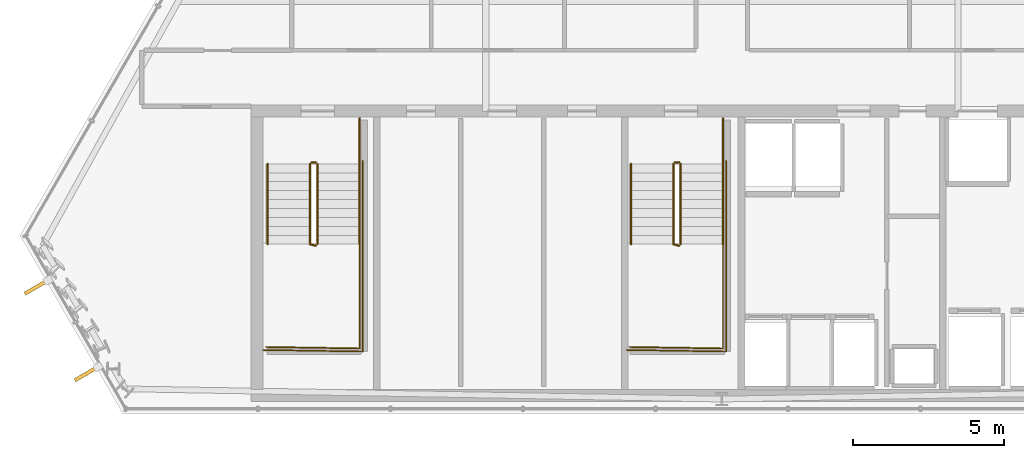
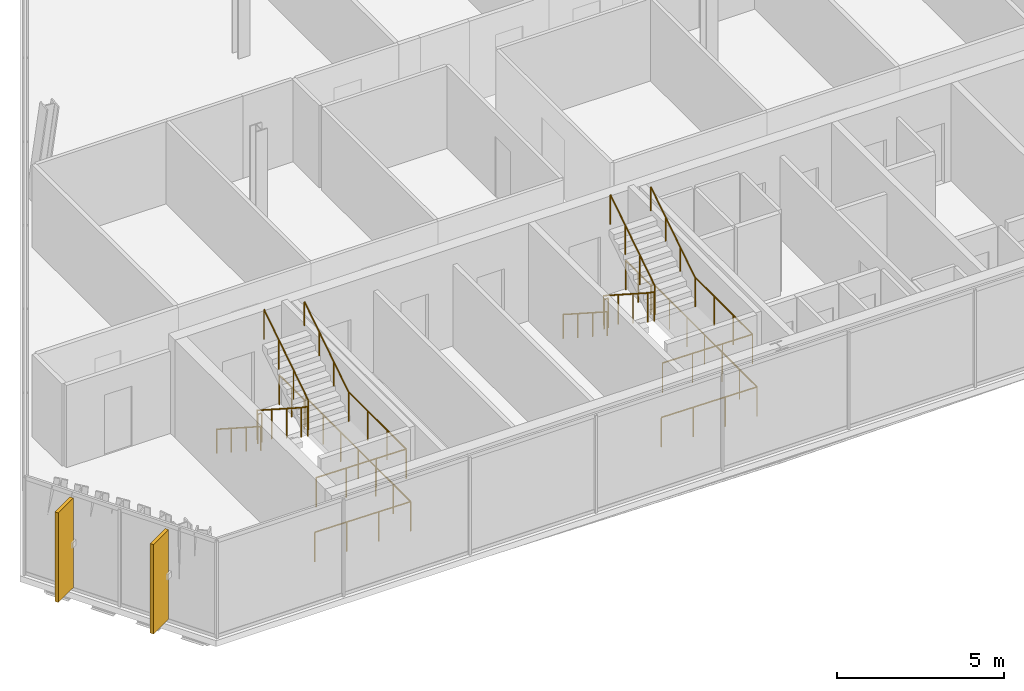
# One storey, part 27 of 29: 16 railings, 2 shading devices.
"""IFC4 building model written with IfcOpenShell, lengths in metres."""

import ifcopenshell
import ifcopenshell.guid

model = None  # the IFC model being written
_history = None  # IfcOwnerHistory: only IFC2X3 demands one
_inside = {}  # id of a spatial element -> (the spatial element, [elements in it])
_under = {}  # id of a project, library or spatial element -> (it, [spatial elements below it])
_declared = {}  # id of a project -> (the project, [libraries it declares])
_typed = {}  # id of a type object -> (the type object, [elements of that type])
_made_of = {}  # id of a material, layer set ... -> (it, [elements and type objects made of it])


def new_model(schema):
    """Start an empty IFC model of exactly this schema.

    Asked for "IFC4X3", IfcOpenShell would pick the latest addendum, in which some entities
    have other attributes; the version numbers below select the first issue.
    IFC2X3 requires an IfcOwnerHistory on every rooted entity: one is made here for all.
    """
    global model, _history
    if schema == "IFC4X3":
        model = ifcopenshell.file(schema_version=(4, 3, 0, 0))
    else:
        model = ifcopenshell.file(schema=schema)
    _inside.clear()
    _under.clear()
    _declared.clear()
    _typed.clear()
    _made_of.clear()
    _history = None
    if model.schema == "IFC2X3":
        org = make("IfcOrganization", Name="unknown")
        user = make(
            "IfcPersonAndOrganization",
            ThePerson=make("IfcPerson", FamilyName="unknown"),
            TheOrganization=org,
        )
        app = make(
            "IfcApplication",
            ApplicationDeveloper=org,
            Version="unknown",
            ApplicationFullName="unknown",
            ApplicationIdentifier="unknown",
        )
        _history = make(
            "IfcOwnerHistory",
            OwningUser=user,
            OwningApplication=app,
            ChangeAction="ADDED",
            CreationDate=0,
        )
    return model


def make(cls, **values):
    """One entity of the class cls with the attributes given. An attribute that is None is left unset."""
    return model.create_entity(
        cls, **{name: value for name, value in values.items() if value is not None}
    )


def rooted(cls, **values):
    """An entity with a GlobalId (a new one), such as an element, a storey or a relation."""
    return make(cls, GlobalId=ifcopenshell.guid.new(), OwnerHistory=_history, **values)


def si_unit(unit_type, name, prefix=None):
    """IfcSIUnit, for example si_unit("LENGTHUNIT", "METRE", prefix="MILLI")."""
    return make("IfcSIUnit", UnitType=unit_type, Prefix=prefix, Name=name)


def assignment(units):
    """IfcUnitAssignment: the units of a project."""
    return None if units is None else make("IfcUnitAssignment", Units=units)


def point(xyz):
    """IfcCartesianPoint."""
    return None if xyz is None else make("IfcCartesianPoint", Coordinates=xyz)


def direction(xyz):
    """IfcDirection."""
    return None if xyz is None else make("IfcDirection", DirectionRatios=xyz)


def frame(location, z_axis=None, x_axis=None):
    """IfcAxis2Placement3D, a coordinate frame: its origin and axes. An axis left out is left unset."""
    return make(
        "IfcAxis2Placement3D",
        Location=point(location),
        Axis=direction(z_axis),
        RefDirection=direction(x_axis),
    )


def frame_2d(location, x_axis=None):
    """IfcAxis2Placement2D, a coordinate frame in the plane: its origin and x axis."""
    return make(
        "IfcAxis2Placement2D", Location=point(location), RefDirection=direction(x_axis)
    )


def origin():
    """The frame at (0, 0, 0) with its axes left unset."""
    return frame((0.0, 0.0, 0.0))


def origin_2d():
    """The frame at (0, 0) in the plane with its x axis left unset."""
    return frame_2d((0.0, 0.0))


def place(relative_to, where):
    """IfcLocalPlacement: puts the frame where relative to a parent placement (None: the world)."""
    return make(
        "IfcLocalPlacement", PlacementRelTo=relative_to, RelativePlacement=where
    )


def context(
    kind, dimensions, precision=None, world=None, true_north=None, identifier=None
):
    """IfcGeometricRepresentationContext, for example the 3D "Model" context."""
    return make(
        "IfcGeometricRepresentationContext",
        ContextIdentifier=identifier,
        ContextType=kind,
        CoordinateSpaceDimension=dimensions,
        Precision=precision,
        WorldCoordinateSystem=world,
        TrueNorth=true_north,
    )


def subcontext(parent, identifier, kind, view, scale=None):
    """IfcGeometricRepresentationSubContext, for example "Body" below "Model"."""
    return make(
        "IfcGeometricRepresentationSubContext",
        ContextIdentifier=identifier,
        ContextType=kind,
        ParentContext=parent,
        TargetScale=scale,
        TargetView=view,
    )


def project(units=None, contexts=None):
    """IfcProject with its units and contexts."""
    return rooted(
        "IfcProject",
        Name="project",
        RepresentationContexts=contexts,
        UnitsInContext=assignment(units),
    )


def spatial(cls, under=None, at=None, **own):
    """A site, building, storey or space (cls), placed at a placement, below another one or the project."""
    s = rooted(cls, ObjectPlacement=at, **own)
    if under is not None:
        _under.setdefault(under.id(), (under, []))[1].append(s)
    return s


def profile(cls, at=None, kind="AREA", **sizes):
    """A parametric profile (cls). Its sizes go by their IFC names, for example OverallWidth=200.0."""
    return make(cls, ProfileType=kind, Position=at, **sizes)


def rectangle(**sizes):
    """IfcRectangleProfileDef."""
    return profile("IfcRectangleProfileDef", **sizes)


def circle(**sizes):
    """IfcCircleProfileDef."""
    return profile("IfcCircleProfileDef", **sizes)


def extrude(swept, where, along, depth):
    """IfcExtrudedAreaSolid: the profile swept, set in the frame where, extruded along a direction by depth."""
    return make(
        "IfcExtrudedAreaSolid",
        SweptArea=swept,
        Position=where,
        ExtrudedDirection=direction(along),
        Depth=depth,
    )


def shape(context_of_items, identifier, shape_type, items):
    """IfcShapeRepresentation: the items that make up one representation, for example the "Body"."""
    return make(
        "IfcShapeRepresentation",
        ContextOfItems=context_of_items,
        RepresentationIdentifier=identifier,
        RepresentationType=shape_type,
        Items=items,
    )


def material(Name=None, Category=None):
    """IfcMaterial."""
    return make("IfcMaterial", Name=Name, Category=Category)


def layer(
    of_material, thickness, ventilated=None, Name=None, Category=None, Priority=None
):
    """IfcMaterialLayer: one layer of a wall or slab, of a material (None: an air gap)."""
    return make(
        "IfcMaterialLayer",
        Material=of_material,
        LayerThickness=thickness,
        IsVentilated=ventilated,
        Name=Name,
        Category=Category,
        Priority=Priority,
    )


def layer_set(layers, Name=None):
    """IfcMaterialLayerSet."""
    return make("IfcMaterialLayerSet", MaterialLayers=layers, LayerSetName=Name)


def made_of(thing, what):
    """Note that an element or type object is made of a material, layer set ...; save() writes the relation."""
    if what is not None:
        _made_of.setdefault(what.id(), (what, []))[1].append(thing)
    return thing


def type_object(cls, material=None, **own):
    """A type object (cls), such as IfcWallType, which elements share."""
    return made_of(rooted(cls, **own), material)


def element(
    cls,
    number,
    at=None,
    inside=None,
    cuts=None,
    type_object=None,
    material=None,
    context=None,
    identifier="Body",
    shape_type=None,
    held_by="IfcProductDefinitionShape",
    body=None,
    shapes=None,
    **own,
):
    """One element of the class cls, such as IfcWall. Its Tag is "e" and its number.

    at: its placement. inside: the storey or other place that contains it. cuts: it is an
    opening in that element (IfcRelVoidsElement). A single representation is given by context,
    identifier, shape_type and body (its items); several are given by shapes. held_by: the class
    of the entity that holds the representations. save() writes the other relations.
    """
    e = rooted(cls, Tag="e%d" % number, ObjectPlacement=at, **own)
    if body is not None:
        shapes = [shape(context, identifier, shape_type, body)]
    if shapes is not None:
        e.Representation = make(held_by, Representations=shapes)
    if inside is not None:
        _inside.setdefault(inside.id(), (inside, []))[1].append(e)
    if cuts is not None:
        rooted(
            "IfcRelVoidsElement", RelatingBuildingElement=cuts, RelatedOpeningElement=e
        )
    if type_object is not None:
        _typed.setdefault(type_object.id(), (type_object, []))[1].append(e)
    return made_of(e, material)


def aggregate(whole, parts):
    """IfcRelAggregates: a whole, such as a stair, and the parts it consists of."""
    return rooted("IfcRelAggregates", RelatingObject=whole, RelatedObjects=parts)


def save(model, path):
    """Write the relations noted so far, then the file.

    IfcRelAggregates (storeys below a building ...), IfcRelContainedInSpatialStructure (elements
    in a storey), IfcRelDefinesByType, IfcRelAssociatesMaterial and IfcRelDeclares: one each for
    every whole, place, type object, material and project.
    """
    for whole, parts in _under.values():
        aggregate(whole, parts)
    for where, things in _inside.values():
        rooted(
            "IfcRelContainedInSpatialStructure",
            RelatedElements=things,
            RelatingStructure=where,
        )
    for kind, things in _typed.values():
        rooted("IfcRelDefinesByType", RelatedObjects=things, RelatingType=kind)
    for what, things in _made_of.values():
        rooted("IfcRelAssociatesMaterial", RelatedObjects=things, RelatingMaterial=what)
    for by, libraries in _declared.values():
        rooted("IfcRelDeclares", RelatingContext=by, RelatedDefinitions=libraries)
    model.write(path)


model = new_model("IFC4")

# Units and contexts
model_context = context("Model", 3, precision=1e-05, world=origin(), true_north=direction((0.0, 1.0)))
body_context = subcontext(model_context, "Body", "Model", "MODEL_VIEW")
ifc_project = project(units=[si_unit("LENGTHUNIT", "METRE"), si_unit("AREAUNIT", "SQUARE_METRE"), si_unit("VOLUMEUNIT", "CUBIC_METRE"), si_unit("PLANEANGLEUNIT", "RADIAN"), si_unit("MASSUNIT", "GRAM", prefix="KILO")], contexts=[model_context])

# Site, building, storey
site_placement = place(None, origin())
site = spatial("IfcSite", under=ifc_project, at=site_placement, CompositionType="ELEMENT")
building_placement = place(site_placement, origin())
building = spatial("IfcBuilding", under=site, at=building_placement, Name="Ndaravel Arena Tower", CompositionType="ELEMENT")
storey_placement = place(building_placement, frame((0.0, 0.0, 248.39990234375)))
storey = spatial("IfcBuildingStorey", under=building, at=storey_placement, Name="L60", CompositionType="ELEMENT", Elevation=248.39990234375)

# Railings
ifc_material_1 = material(Name="Steel S355", Category="steel")
ifc_layer_1 = layer(ifc_material_1, 0.06005859375)
ifc_layer_set_1 = layer_set([ifc_layer_1], Name="Steel S355")
railing_type_1 = type_object("IfcRailingType", Name="RAIL-STAIR-GD1100", PredefinedType="GUARDRAIL", material=ifc_layer_set_1)
railing_1_placement = place(storey_placement, frame((28.39990234375, 13.25, 0.190185546875)))
element("IfcRailing", 1, at=railing_1_placement, inside=storey, type_object=railing_type_1, Name="L60 ST-1 stair guard 1", PredefinedType="GUARDRAIL", context=body_context, shape_type="SweptSolid", body=[
    extrude(circle(Radius=0.02392578125, at=origin_2d()), frame((0.0, 0.0, 1.076171875), z_axis=(0.0, -0.840723540582, 0.54146461409), x_axis=(1.0, 0.0, 0.0)), (0.0, 0.0, 1.0), 3.157958984375),
    extrude(circle(Radius=0.02392578125, at=origin_2d()), frame((0.0, -2.655029296875, 2.7861328125), z_axis=(0.967074537263, -0.25449329928, 0.0), x_axis=(0.25449329928, 0.967074537263, 0.0)), (0.0, 0.0, 1.0), 0.19677734375),
    extrude(circle(Radius=0.02099609375, at=origin_2d()), origin(), (0.0, 0.0, 1.0), 1.052001953125),
    extrude(circle(Radius=0.02099609375, at=origin_2d()), frame((0.0, -0.885009765625, 0.570068359375)), (0.0, 0.0, 1.0), 1.052001953125),
    extrude(circle(Radius=0.02099609375, at=origin_2d()), frame((0.0, -1.77001953125, 1.139892578125)), (0.0, 0.0, 1.0), 1.052001953125),
    extrude(circle(Radius=0.02099609375, at=origin_2d()), frame((0.0, -2.655029296875, 1.7099609375)), (0.0, 0.0, 1.0), 1.052001953125),
    extrude(circle(Radius=0.02099609375, at=origin_2d()), frame((0.190185546875, -2.705078125, 1.7099609375)), (0.0, 0.0, 1.0), 1.052001953125),
])
railing_2_placement = place(storey_placement, frame((30.0400390625, 10.594970703125, 1.900146484375)))
element("IfcRailing", 2, at=railing_2_placement, inside=storey, type_object=railing_type_1, Name="L60 ST-1 stair guard 2", PredefinedType="GUARDRAIL", context=body_context, shape_type="SweptSolid", body=[
    extrude(circle(Radius=0.02392578125, at=origin_2d()), frame((0.0, 0.0, 1.076171875), z_axis=(0.0, -1.0, 0.0), x_axis=(1.0, 0.0, 0.0)), (0.0, 0.0, 1.0), 3.445068359375),
    extrude(circle(Radius=0.02392578125, at=origin_2d()), frame((0.0, -3.445068359375, 1.076171875), z_axis=(-0.999868861343, 0.016194447071, 0.0), x_axis=(-0.016194447071, -0.999868861343, 0.0)), (0.0, 0.0, 1.0), 3.090576171875),
    extrude(circle(Radius=0.02099609375, at=origin_2d()), origin(), (0.0, 0.0, 1.0), 1.052001953125),
    extrude(circle(Radius=0.02099609375, at=origin_2d()), frame((0.0, -1.1484375, 0.0)), (0.0, 0.0, 1.0), 1.052001953125),
    extrude(circle(Radius=0.02099609375, at=origin_2d()), frame((0.0, -2.296630859375, 0.0)), (0.0, 0.0, 1.0), 1.052001953125),
    extrude(circle(Radius=0.02099609375, at=origin_2d()), frame((0.0, -3.445068359375, 0.0)), (0.0, 0.0, 1.0), 1.052001953125),
    extrude(circle(Radius=0.02099609375, at=origin_2d()), frame((-1.030029296875, -3.428466796875, 0.0)), (0.0, 0.0, 1.0), 1.052001953125),
    extrude(circle(Radius=0.02099609375, at=origin_2d()), frame((-2.06005859375, -3.41162109375, 0.0)), (0.0, 0.0, 1.0), 1.052001953125),
    extrude(circle(Radius=0.02099609375, at=origin_2d()), frame((-3.090087890625, -3.39501953125, 0.0)), (0.0, 0.0, 1.0), 1.052001953125),
])
railing_3_placement = place(storey_placement, frame((28.639892578125, 10.594970703125, 2.090087890625)))
element("IfcRailing", 3, at=railing_3_placement, inside=storey, type_object=railing_type_1, Name="L60 ST-1 stair guard 3", PredefinedType="GUARDRAIL", context=body_context, shape_type="SweptSolid", body=[
    extrude(circle(Radius=0.02392578125, at=origin_2d()), frame((0.0, 0.0, 1.076171875), z_axis=(0.0, 0.840723540582, 0.54146461409), x_axis=(-1.0, 0.0, 0.0)), (0.0, 0.0, 1.0), 3.157958984375),
    extrude(circle(Radius=0.02099609375, at=origin_2d()), origin(), (0.0, 0.0, 1.0), 1.052001953125),
    extrude(circle(Radius=0.02099609375, at=origin_2d()), frame((0.0, 0.885009765625, 0.570068359375)), (0.0, 0.0, 1.0), 1.052001953125),
    extrude(circle(Radius=0.02099609375, at=origin_2d()), frame((0.0, 1.77001953125, 1.139892578125)), (0.0, 0.0, 1.0), 1.052001953125),
    extrude(circle(Radius=0.02099609375, at=origin_2d()), frame((0.0, 2.655029296875, 1.7099609375)), (0.0, 0.0, 1.0), 1.052001953125),
])
railing_4_placement = place(storey_placement, frame((28.449951171875, 13.300048828125, 0.0)))
element("IfcRailing", 4, at=railing_4_placement, inside=storey, type_object=railing_type_1, Name="L60 ST-1 stair guard 4", PredefinedType="GUARDRAIL", context=body_context, shape_type="SweptSolid", body=[
    extrude(circle(Radius=0.02392578125, at=origin_2d()), frame((0.0, 0.0, 1.076171875), z_axis=(1.0, 0.0, 0.0), x_axis=(0.0, 1.0, 0.0)), (0.0, 0.0, 1.0), 0.14013671875),
    extrude(circle(Radius=0.02099609375, at=origin_2d()), origin(), (0.0, 0.0, 1.0), 1.052001953125),
    extrude(circle(Radius=0.02099609375, at=origin_2d()), frame((0.14013671875, 0.0, 0.0)), (0.0, 0.0, 1.0), 1.052001953125),
])
railing_5_placement = place(storey_placement, frame((30.0400390625, 14.75, 0.0)))
element("IfcRailing", 5, at=railing_5_placement, inside=storey, type_object=railing_type_1, Name="L60 ST-1 stair guard 5", PredefinedType="GUARDRAIL", context=body_context, shape_type="SweptSolid", body=[
    extrude(circle(Radius=0.02392578125, at=origin_2d()), frame((0.0, 0.0, 1.076171875), z_axis=(0.0, -1.0, 0.0), x_axis=(1.0, 0.0, 0.0)), (0.0, 0.0, 1.0), 1.5),
    extrude(circle(Radius=0.02099609375, at=origin_2d()), origin(), (0.0, 0.0, 1.0), 1.052001953125),
    extrude(circle(Radius=0.02099609375, at=origin_2d()), frame((0.0, -0.75, 0.0)), (0.0, 0.0, 1.0), 1.052001953125),
    extrude(circle(Radius=0.02099609375, at=origin_2d()), frame((0.0, -1.5, 0.0)), (0.0, 0.0, 1.0), 1.052001953125),
])
railing_6_placement = place(storey_placement, frame((30.139892578125, 13.35009765625, 0.0)))
element("IfcRailing", 6, at=railing_6_placement, inside=storey, type_object=railing_type_1, Name="L60 ST-1 stair guard 6", PredefinedType="GUARDRAIL", context=body_context, shape_type="SweptSolid", body=[
    extrude(circle(Radius=0.02392578125, at=origin_2d()), frame((0.0, 0.0, 1.076171875), z_axis=(0.0, -1.0, 0.0), x_axis=(1.0, 0.0, 0.0)), (0.0, 0.0, 1.0), 6.300048828125),
    extrude(circle(Radius=0.02392578125, at=origin_2d()), frame((0.0, -6.300048828125, 1.076171875), z_axis=(-0.999884296952, 0.015211597839, 0.0), x_axis=(-0.015211597839, -0.999884296952, 0.0)), (0.0, 0.0, 1.0), 3.290283203125),
    extrude(circle(Radius=0.02099609375, at=origin_2d()), origin(), (0.0, 0.0, 1.0), 1.052001953125),
    extrude(circle(Radius=0.02099609375, at=origin_2d()), frame((0.0, -1.050048828125, 0.0)), (0.0, 0.0, 1.0), 1.052001953125),
    extrude(circle(Radius=0.02099609375, at=origin_2d()), frame((0.0, -2.10009765625, 0.0)), (0.0, 0.0, 1.0), 1.052001953125),
    extrude(circle(Radius=0.02099609375, at=origin_2d()), frame((0.0, -3.14990234375, 0.0)), (0.0, 0.0, 1.0), 1.052001953125),
    extrude(circle(Radius=0.02099609375, at=origin_2d()), frame((0.0, -4.199951171875, 0.0)), (0.0, 0.0, 1.0), 1.052001953125),
    extrude(circle(Radius=0.02099609375, at=origin_2d()), frame((0.0, -5.25, 0.0)), (0.0, 0.0, 1.0), 1.052001953125),
    extrude(circle(Radius=0.02099609375, at=origin_2d()), frame((0.0, -6.300048828125, 0.0)), (0.0, 0.0, 1.0), 1.052001953125),
    extrude(circle(Radius=0.02099609375, at=origin_2d()), frame((-1.0966796875, -6.283447265625, 0.0)), (0.0, 0.0, 1.0), 1.052001953125),
    extrude(circle(Radius=0.02099609375, at=origin_2d()), frame((-2.193115234375, -6.2666015625, 0.0)), (0.0, 0.0, 1.0), 1.052001953125),
    extrude(circle(Radius=0.02099609375, at=origin_2d()), frame((-3.289794921875, -6.25, 0.0)), (0.0, 0.0, 1.0), 1.052001953125),
])
railing_7_placement = place(storey_placement, frame((40.39990234375, 13.25, 0.190185546875)))
element("IfcRailing", 7, at=railing_7_placement, inside=storey, type_object=railing_type_1, Name="L60 ST-2 stair guard 1", PredefinedType="GUARDRAIL", context=body_context, shape_type="SweptSolid", body=[
    extrude(circle(Radius=0.02392578125, at=origin_2d()), frame((0.0, 0.0, 1.076171875), z_axis=(0.0, -0.840723540582, 0.54146461409), x_axis=(1.0, 0.0, 0.0)), (0.0, 0.0, 1.0), 3.157958984375),
    extrude(circle(Radius=0.02392578125, at=origin_2d()), frame((0.0, -2.655029296875, 2.7861328125), z_axis=(0.967074537263, -0.25449329928, 0.0), x_axis=(0.25449329928, 0.967074537263, 0.0)), (0.0, 0.0, 1.0), 0.19677734375),
    extrude(circle(Radius=0.02099609375, at=origin_2d()), origin(), (0.0, 0.0, 1.0), 1.052001953125),
    extrude(circle(Radius=0.02099609375, at=origin_2d()), frame((0.0, -0.885009765625, 0.570068359375)), (0.0, 0.0, 1.0), 1.052001953125),
    extrude(circle(Radius=0.02099609375, at=origin_2d()), frame((0.0, -1.77001953125, 1.139892578125)), (0.0, 0.0, 1.0), 1.052001953125),
    extrude(circle(Radius=0.02099609375, at=origin_2d()), frame((0.0, -2.655029296875, 1.7099609375)), (0.0, 0.0, 1.0), 1.052001953125),
    extrude(circle(Radius=0.02099609375, at=origin_2d()), frame((0.190185546875, -2.705078125, 1.7099609375)), (0.0, 0.0, 1.0), 1.052001953125),
])
railing_8_placement = place(storey_placement, frame((42.0400390625, 10.594970703125, 1.900146484375)))
element("IfcRailing", 8, at=railing_8_placement, inside=storey, type_object=railing_type_1, Name="L60 ST-2 stair guard 2", PredefinedType="GUARDRAIL", context=body_context, shape_type="SweptSolid", body=[
    extrude(circle(Radius=0.02392578125, at=origin_2d()), frame((0.0, 0.0, 1.076171875), z_axis=(0.0, -1.0, 0.0), x_axis=(1.0, 0.0, 0.0)), (0.0, 0.0, 1.0), 3.445068359375),
    extrude(circle(Radius=0.02392578125, at=origin_2d()), frame((0.0, -3.445068359375, 1.076171875), z_axis=(-0.999868861343, 0.016194447071, 0.0), x_axis=(-0.016194447071, -0.999868861343, 0.0)), (0.0, 0.0, 1.0), 3.090576171875),
    extrude(circle(Radius=0.02099609375, at=origin_2d()), origin(), (0.0, 0.0, 1.0), 1.052001953125),
    extrude(circle(Radius=0.02099609375, at=origin_2d()), frame((0.0, -1.1484375, 0.0)), (0.0, 0.0, 1.0), 1.052001953125),
    extrude(circle(Radius=0.02099609375, at=origin_2d()), frame((0.0, -2.296630859375, 0.0)), (0.0, 0.0, 1.0), 1.052001953125),
    extrude(circle(Radius=0.02099609375, at=origin_2d()), frame((0.0, -3.445068359375, 0.0)), (0.0, 0.0, 1.0), 1.052001953125),
    extrude(circle(Radius=0.02099609375, at=origin_2d()), frame((-1.030029296875, -3.428466796875, 0.0)), (0.0, 0.0, 1.0), 1.052001953125),
    extrude(circle(Radius=0.02099609375, at=origin_2d()), frame((-2.06005859375, -3.41162109375, 0.0)), (0.0, 0.0, 1.0), 1.052001953125),
    extrude(circle(Radius=0.02099609375, at=origin_2d()), frame((-3.090087890625, -3.39501953125, 0.0)), (0.0, 0.0, 1.0), 1.052001953125),
])
railing_9_placement = place(storey_placement, frame((40.639892578125, 10.594970703125, 2.090087890625)))
element("IfcRailing", 9, at=railing_9_placement, inside=storey, type_object=railing_type_1, Name="L60 ST-2 stair guard 3", PredefinedType="GUARDRAIL", context=body_context, shape_type="SweptSolid", body=[
    extrude(circle(Radius=0.02392578125, at=origin_2d()), frame((0.0, 0.0, 1.076171875), z_axis=(0.0, 0.840723540582, 0.54146461409), x_axis=(-1.0, 0.0, 0.0)), (0.0, 0.0, 1.0), 3.157958984375),
    extrude(circle(Radius=0.02099609375, at=origin_2d()), origin(), (0.0, 0.0, 1.0), 1.052001953125),
    extrude(circle(Radius=0.02099609375, at=origin_2d()), frame((0.0, 0.885009765625, 0.570068359375)), (0.0, 0.0, 1.0), 1.052001953125),
    extrude(circle(Radius=0.02099609375, at=origin_2d()), frame((0.0, 1.77001953125, 1.139892578125)), (0.0, 0.0, 1.0), 1.052001953125),
    extrude(circle(Radius=0.02099609375, at=origin_2d()), frame((0.0, 2.655029296875, 1.7099609375)), (0.0, 0.0, 1.0), 1.052001953125),
])
railing_10_placement = place(storey_placement, frame((40.449951171875, 13.300048828125, 0.0)))
element("IfcRailing", 10, at=railing_10_placement, inside=storey, type_object=railing_type_1, Name="L60 ST-2 stair guard 4", PredefinedType="GUARDRAIL", context=body_context, shape_type="SweptSolid", body=[
    extrude(circle(Radius=0.02392578125, at=origin_2d()), frame((0.0, 0.0, 1.076171875), z_axis=(1.0, 0.0, 0.0), x_axis=(0.0, 1.0, 0.0)), (0.0, 0.0, 1.0), 0.14013671875),
    extrude(circle(Radius=0.02099609375, at=origin_2d()), origin(), (0.0, 0.0, 1.0), 1.052001953125),
    extrude(circle(Radius=0.02099609375, at=origin_2d()), frame((0.14013671875, 0.0, 0.0)), (0.0, 0.0, 1.0), 1.052001953125),
])
railing_11_placement = place(storey_placement, frame((42.0400390625, 14.75, 0.0)))
element("IfcRailing", 11, at=railing_11_placement, inside=storey, type_object=railing_type_1, Name="L60 ST-2 stair guard 5", PredefinedType="GUARDRAIL", context=body_context, shape_type="SweptSolid", body=[
    extrude(circle(Radius=0.02392578125, at=origin_2d()), frame((0.0, 0.0, 1.076171875), z_axis=(0.0, -1.0, 0.0), x_axis=(1.0, 0.0, 0.0)), (0.0, 0.0, 1.0), 1.5),
    extrude(circle(Radius=0.02099609375, at=origin_2d()), origin(), (0.0, 0.0, 1.0), 1.052001953125),
    extrude(circle(Radius=0.02099609375, at=origin_2d()), frame((0.0, -0.75, 0.0)), (0.0, 0.0, 1.0), 1.052001953125),
    extrude(circle(Radius=0.02099609375, at=origin_2d()), frame((0.0, -1.5, 0.0)), (0.0, 0.0, 1.0), 1.052001953125),
])
railing_12_placement = place(storey_placement, frame((42.139892578125, 13.35009765625, 0.0)))
element("IfcRailing", 12, at=railing_12_placement, inside=storey, type_object=railing_type_1, Name="L60 ST-2 stair guard 6", PredefinedType="GUARDRAIL", context=body_context, shape_type="SweptSolid", body=[
    extrude(circle(Radius=0.02392578125, at=origin_2d()), frame((0.0, 0.0, 1.076171875), z_axis=(0.0, -1.0, 0.0), x_axis=(1.0, 0.0, 0.0)), (0.0, 0.0, 1.0), 6.300048828125),
    extrude(circle(Radius=0.02392578125, at=origin_2d()), frame((0.0, -6.300048828125, 1.076171875), z_axis=(-0.999884296952, 0.015211597839, 0.0), x_axis=(-0.015211597839, -0.999884296952, 0.0)), (0.0, 0.0, 1.0), 3.290283203125),
    extrude(circle(Radius=0.02099609375, at=origin_2d()), origin(), (0.0, 0.0, 1.0), 1.052001953125),
    extrude(circle(Radius=0.02099609375, at=origin_2d()), frame((0.0, -1.050048828125, 0.0)), (0.0, 0.0, 1.0), 1.052001953125),
    extrude(circle(Radius=0.02099609375, at=origin_2d()), frame((0.0, -2.10009765625, 0.0)), (0.0, 0.0, 1.0), 1.052001953125),
    extrude(circle(Radius=0.02099609375, at=origin_2d()), frame((0.0, -3.14990234375, 0.0)), (0.0, 0.0, 1.0), 1.052001953125),
    extrude(circle(Radius=0.02099609375, at=origin_2d()), frame((0.0, -4.199951171875, 0.0)), (0.0, 0.0, 1.0), 1.052001953125),
    extrude(circle(Radius=0.02099609375, at=origin_2d()), frame((0.0, -5.25, 0.0)), (0.0, 0.0, 1.0), 1.052001953125),
    extrude(circle(Radius=0.02099609375, at=origin_2d()), frame((0.0, -6.300048828125, 0.0)), (0.0, 0.0, 1.0), 1.052001953125),
    extrude(circle(Radius=0.02099609375, at=origin_2d()), frame((-1.0966796875, -6.283447265625, 0.0)), (0.0, 0.0, 1.0), 1.052001953125),
    extrude(circle(Radius=0.02099609375, at=origin_2d()), frame((-2.193115234375, -6.2666015625, 0.0)), (0.0, 0.0, 1.0), 1.052001953125),
    extrude(circle(Radius=0.02099609375, at=origin_2d()), frame((-3.289794921875, -6.25, 0.0)), (0.0, 0.0, 1.0), 1.052001953125),
])
ifc_material_2 = material(Name="Steel S355", Category="steel")
ifc_layer_2 = layer(ifc_material_2, 0.050048828125)
ifc_layer_set_2 = layer_set([ifc_layer_2], Name="Steel S355")
railing_type_2 = type_object("IfcRailingType", Name="RAIL-STAIR-HR920", PredefinedType="HANDRAIL", material=ifc_layer_set_2)
railing_13_placement = place(storey_placement, frame((27.0, 13.25, 0.190185546875)))
element("IfcRailing", 13, at=railing_13_placement, inside=storey, type_object=railing_type_2, Name="L60 ST-1 stair handrail 1", PredefinedType="HANDRAIL", context=body_context, shape_type="SweptSolid", body=[
    extrude(circle(Radius=0.02392578125, at=origin_2d()), frame((0.0, 0.0, 0.8759765625), z_axis=(0.0, -0.840723540582, 0.54146461409), x_axis=(1.0, 0.0, 0.0)), (0.0, 0.0, 1.0), 3.157958984375),
    extrude(circle(Radius=0.02099609375, at=origin_2d()), origin(), (0.0, 0.0, 1.0), 0.851806640625),
    extrude(circle(Radius=0.02099609375, at=origin_2d()), frame((0.0, -0.885009765625, 0.570068359375)), (0.0, 0.0, 1.0), 0.851806640625),
    extrude(circle(Radius=0.02099609375, at=origin_2d()), frame((0.0, -1.77001953125, 1.139892578125)), (0.0, 0.0, 1.0), 0.851806640625),
    extrude(circle(Radius=0.02099609375, at=origin_2d()), frame((0.0, -2.655029296875, 1.7099609375)), (0.0, 0.0, 1.0), 0.851806640625),
])
railing_14_placement = place(storey_placement, frame((30.0400390625, 10.594970703125, 2.090087890625)))
element("IfcRailing", 14, at=railing_14_placement, inside=storey, type_object=railing_type_2, Name="L60 ST-1 stair handrail 2", PredefinedType="HANDRAIL", context=body_context, shape_type="SweptSolid", body=[
    extrude(circle(Radius=0.02392578125, at=origin_2d()), frame((0.0, 0.0, 0.8759765625), z_axis=(0.0, 0.840723540582, 0.54146461409), x_axis=(-1.0, 0.0, 0.0)), (0.0, 0.0, 1.0), 3.157958984375),
    extrude(circle(Radius=0.02099609375, at=origin_2d()), origin(), (0.0, 0.0, 1.0), 0.851806640625),
    extrude(circle(Radius=0.02099609375, at=origin_2d()), frame((0.0, 0.885009765625, 0.570068359375)), (0.0, 0.0, 1.0), 0.851806640625),
    extrude(circle(Radius=0.02099609375, at=origin_2d()), frame((0.0, 1.77001953125, 1.139892578125)), (0.0, 0.0, 1.0), 0.851806640625),
    extrude(circle(Radius=0.02099609375, at=origin_2d()), frame((0.0, 2.655029296875, 1.7099609375)), (0.0, 0.0, 1.0), 0.851806640625),
])
railing_15_placement = place(storey_placement, frame((39.0, 13.25, 0.190185546875)))
element("IfcRailing", 15, at=railing_15_placement, inside=storey, type_object=railing_type_2, Name="L60 ST-2 stair handrail 1", PredefinedType="HANDRAIL", context=body_context, shape_type="SweptSolid", body=[
    extrude(circle(Radius=0.02392578125, at=origin_2d()), frame((0.0, 0.0, 0.8759765625), z_axis=(0.0, -0.840723540582, 0.54146461409), x_axis=(1.0, 0.0, 0.0)), (0.0, 0.0, 1.0), 3.157958984375),
    extrude(circle(Radius=0.02099609375, at=origin_2d()), origin(), (0.0, 0.0, 1.0), 0.851806640625),
    extrude(circle(Radius=0.02099609375, at=origin_2d()), frame((0.0, -0.885009765625, 0.570068359375)), (0.0, 0.0, 1.0), 0.851806640625),
    extrude(circle(Radius=0.02099609375, at=origin_2d()), frame((0.0, -1.77001953125, 1.139892578125)), (0.0, 0.0, 1.0), 0.851806640625),
    extrude(circle(Radius=0.02099609375, at=origin_2d()), frame((0.0, -2.655029296875, 1.7099609375)), (0.0, 0.0, 1.0), 0.851806640625),
])
railing_16_placement = place(storey_placement, frame((42.0400390625, 10.594970703125, 2.090087890625)))
element("IfcRailing", 16, at=railing_16_placement, inside=storey, type_object=railing_type_2, Name="L60 ST-2 stair handrail 2", PredefinedType="HANDRAIL", context=body_context, shape_type="SweptSolid", body=[
    extrude(circle(Radius=0.02392578125, at=origin_2d()), frame((0.0, 0.0, 0.8759765625), z_axis=(0.0, 0.840723540582, 0.54146461409), x_axis=(-1.0, 0.0, 0.0)), (0.0, 0.0, 1.0), 3.157958984375),
    extrude(circle(Radius=0.02099609375, at=origin_2d()), origin(), (0.0, 0.0, 1.0), 0.851806640625),
    extrude(circle(Radius=0.02099609375, at=origin_2d()), frame((0.0, 0.885009765625, 0.570068359375)), (0.0, 0.0, 1.0), 0.851806640625),
    extrude(circle(Radius=0.02099609375, at=origin_2d()), frame((0.0, 1.77001953125, 1.139892578125)), (0.0, 0.0, 1.0), 0.851806640625),
    extrude(circle(Radius=0.02099609375, at=origin_2d()), frame((0.0, 2.655029296875, 1.7099609375)), (0.0, 0.0, 1.0), 0.851806640625),
])

# Shading devices
ifc_material_3 = material(Name="Masonry", Category="masonry")
shading_device_type = type_object("IfcShadingDeviceType", Name="SHD-MAZERAS-FIN", PredefinedType="SHUTTER", material=ifc_material_3)
for number, where, z_axis, x_axis, name in (
    (17, (19.367919921875, 9.1845703125, 0.14990234375), (0.0, 0.0, 1.0), (-0.866025403784, -0.5, 0.0), "L60 Mazeras Stone Solar Fin E6.1"),
    (18, (21.01953125, 6.323486328125, 0.14990234375), (0.0, 0.0, 1.0), (-0.866025403784, -0.5, 0.0), "L60 Mazeras Stone Solar Fin E6.2"),
):
    element("IfcShadingDevice", number, at=place(storey_placement, frame(where, z_axis=z_axis, x_axis=x_axis)), inside=storey, type_object=shading_device_type, Name=name, PredefinedType="SHUTTER", context=body_context, shape_type="SweptSolid", body=[
        extrude(rectangle(XDim=0.89990234375, YDim=0.1201171875, at=origin_2d()), origin(), (0.0, 0.0, 1.0), 3.280029296875),
    ])

save(model, "model.ifc")
